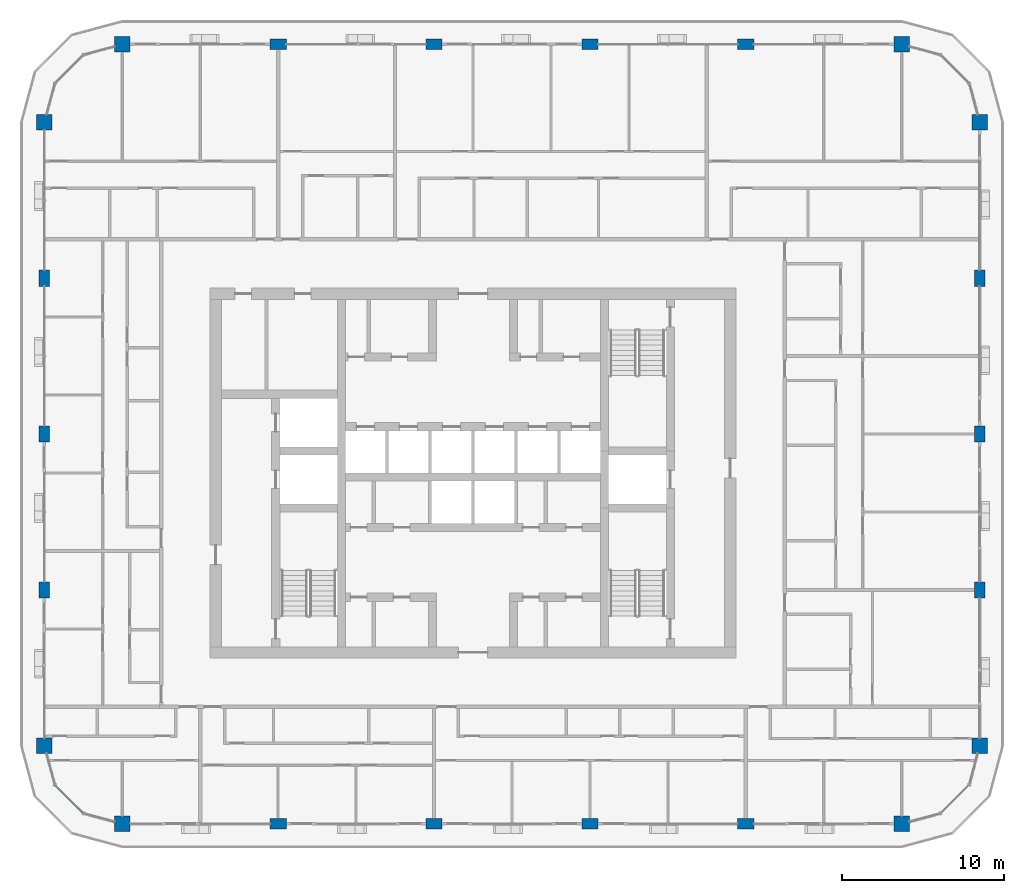
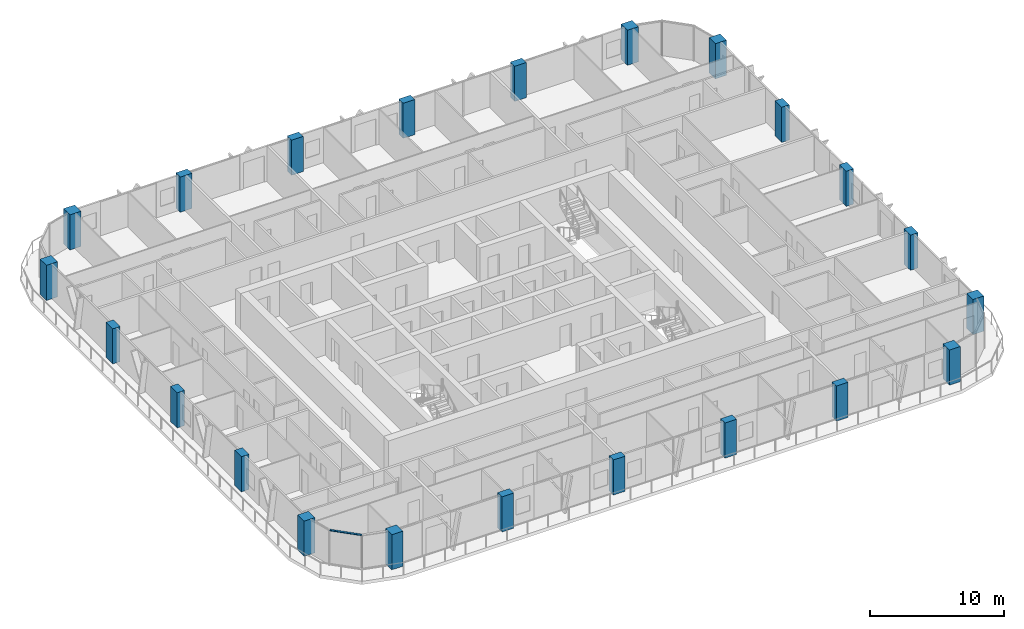
# One storey, part 1 of 23: 22 columns, 1 member, 1 element without a shape of its own.
"""IFC4 building model written with IfcOpenShell, lengths in metres."""

from ifc_helpers import new_model, si_unit, direction, frame, origin, origin_2d, place, context, subcontext, project, spatial, rectangle, extrude, material, layer, layer_set, material_profile, profile_set, type_object, element, aggregate, save


model = new_model("IFC4")

# Units and contexts
model_context = context("Model", 3, precision=1e-05, world=origin(), true_north=direction((0.0, 1.0)))
body_context = subcontext(model_context, "Body", "Model", "MODEL_VIEW")
ifc_project = project(units=[si_unit("LENGTHUNIT", "METRE"), si_unit("AREAUNIT", "SQUARE_METRE"), si_unit("VOLUMEUNIT", "CUBIC_METRE"), si_unit("PLANEANGLEUNIT", "RADIAN"), si_unit("MASSUNIT", "GRAM", prefix="KILO")], contexts=[model_context])

# Site, building, storey
site_placement = place(None, origin())
site = spatial("IfcSite", under=ifc_project, at=site_placement, CompositionType="ELEMENT")
building_placement = place(site_placement, origin())
building = spatial("IfcBuilding", under=site, at=building_placement, Name="Madar Terraces", CompositionType="ELEMENT")
storey_placement = place(building_placement, frame((0.0, 0.0, 222.800048828125)))
storey = spatial("IfcBuildingStorey", under=building, at=storey_placement, Name="L58", CompositionType="ELEMENT", Elevation=222.800048828125)

# Columns
ifc_material_1 = material(Name="Concrete C60/75", Category="concrete")
ifc_material_profile_1 = material_profile(ifc_material_1, rectangle(XDim=1.0, YDim=0.64990234375, at=origin_2d()), Name="CC4 RC 1000x650")
ifc_profile_set_1 = profile_set([ifc_material_profile_1], Name="Concrete C60/75")
column_type_1 = type_object("IfcColumnType", Name="CC4 RC 1000x650", PredefinedType="COLUMN", material=ifc_profile_set_1)
for number, where, z_axis, x_axis, name in (
    (1, (19.199951171875, 4.800048828125, 0.0), (0.0, 0.0, 1.0), (1.0, 0.0, 0.0), "Perimeter column S2"),
    (2, (28.800048828125, 4.800048828125, 0.0), (0.0, 0.0, 1.0), (1.0, 0.0, 0.0), "Perimeter column S3"),
    (3, (38.39990234375, 4.800048828125, 0.0), (0.0, 0.0, 1.0), (1.0, 0.0, 0.0), "Perimeter column S4"),
    (4, (48.0, 4.800048828125, 0.0), (0.0, 0.0, 1.0), (1.0, 0.0, 0.0), "Perimeter column S5"),
    (5, (62.39990234375, 19.199951171875, 0.0), (0.0, 0.0, 1.0), (0.0, 1.0, 0.0), "Perimeter column E2"),
    (6, (62.39990234375, 28.800048828125, 0.0), (0.0, 0.0, 1.0), (0.0, 1.0, 0.0), "Perimeter column E3"),
    (7, (62.39990234375, 38.39990234375, 0.0), (0.0, 0.0, 1.0), (0.0, 1.0, 0.0), "Perimeter column E4"),
    (8, (48.0, 52.800048828125, 0.0), (0.0, 0.0, 1.0), (1.0, 0.0, 0.0), "Perimeter column N2"),
    (9, (38.39990234375, 52.800048828125, 0.0), (0.0, 0.0, 1.0), (1.0, 0.0, 0.0), "Perimeter column N3"),
    (10, (28.800048828125, 52.800048828125, 0.0), (0.0, 0.0, 1.0), (1.0, 0.0, 0.0), "Perimeter column N4"),
    (11, (19.199951171875, 52.800048828125, 0.0), (0.0, 0.0, 1.0), (1.0, 0.0, 0.0), "Perimeter column N5"),
    (12, (4.800048828125, 38.39990234375, 0.0), (0.0, 0.0, 1.0), (0.0, 1.0, 0.0), "Perimeter column W2"),
    (13, (4.800048828125, 28.800048828125, 0.0), (0.0, 0.0, 1.0), (0.0, 1.0, 0.0), "Perimeter column W3"),
    (14, (4.800048828125, 19.199951171875, 0.0), (0.0, 0.0, 1.0), (0.0, 1.0, 0.0), "Perimeter column W4"),
):
    element("IfcColumn", number, at=place(storey_placement, frame(where, z_axis=z_axis, x_axis=x_axis)), inside=storey, type_object=column_type_1, Name=name, PredefinedType="COLUMN", context=body_context, shape_type="SweptSolid", body=[
        extrude(rectangle(XDim=1.0, YDim=0.64990234375, at=origin_2d()), origin(), (0.0, 0.0, 1.0), 3.199951171875),
    ])
ifc_material_2 = material(Name="Concrete C60/75", Category="concrete")
ifc_material_profile_2 = material_profile(ifc_material_2, rectangle(XDim=0.949951171875, YDim=0.949951171875, at=origin_2d()), Name="KC4 RC 950x950")
ifc_profile_set_2 = profile_set([ifc_material_profile_2], Name="Concrete C60/75")
column_type_2 = type_object("IfcColumnType", Name="KC4 RC 950x950", PredefinedType="COLUMN", material=ifc_profile_set_2)
for number, where, z_axis, x_axis, name in (
    (15, (9.60009765625, 4.800048828125, 0.0), (0.0, 0.0, 1.0), (1.0, 0.0, 0.0), "Perimeter column S1"),
    (16, (57.60009765625, 4.800048828125, 0.0), (0.0, 0.0, 1.0), (1.0, 0.0, 0.0), "Perimeter column S6"),
    (17, (62.39990234375, 9.60009765625, 0.0), (0.0, 0.0, 1.0), (1.0, 0.0, 0.0), "Perimeter column E1"),
    (18, (62.39990234375, 48.0, 0.0), (0.0, 0.0, 1.0), (1.0, 0.0, 0.0), "Perimeter column E5"),
    (19, (57.60009765625, 52.800048828125, 0.0), (0.0, 0.0, 1.0), (1.0, 0.0, 0.0), "Perimeter column N1"),
    (20, (9.60009765625, 52.800048828125, 0.0), (0.0, 0.0, 1.0), (1.0, 0.0, 0.0), "Perimeter column N6"),
    (21, (4.800048828125, 48.0, 0.0), (0.0, 0.0, 1.0), (1.0, 0.0, 0.0), "Perimeter column W1"),
    (22, (4.800048828125, 9.60009765625, 0.0), (0.0, 0.0, 1.0), (1.0, 0.0, 0.0), "Perimeter column W5"),
):
    element("IfcColumn", number, at=place(storey_placement, frame(where, z_axis=z_axis, x_axis=x_axis)), inside=storey, type_object=column_type_2, Name=name, PredefinedType="COLUMN", context=body_context, shape_type="SweptSolid", body=[
        extrude(rectangle(XDim=0.949951171875, YDim=0.949951171875, at=origin_2d()), origin(), (0.0, 0.0, 1.0), 3.199951171875),
    ])

# Curtain wall, member
ifc_material_3 = material(Name="Glass, ceramic frit dark grey, with black aluminium frame", Category="aluminium")
ifc_layer = layer(ifc_material_3, 0.199951171875)
ifc_layer_set = layer_set([ifc_layer], Name="Facade curtain wall, fritted glass")
curtain_wall_type = type_object("IfcCurtainWallType", Name="Facade curtain wall, fritted glass", PredefinedType="NOTDEFINED", material=ifc_layer_set)
curtain_wall_placement = place(storey_placement, origin())
curtain_wall = element("IfcCurtainWall", 23, at=curtain_wall_placement, inside=storey, type_object=curtain_wall_type, Name="Outer skin curtain wall south-west corner", PredefinedType="NOTDEFINED")
ifc_material_4 = material(Name="Aluminium, black anodised", Category="aluminium")
ifc_material_profile_3 = material_profile(ifc_material_4, rectangle(XDim=0.1201171875, YDim=0.06005859375, at=origin_2d()), Name="Facade transom 60x120")
ifc_profile_set_3 = profile_set([ifc_material_profile_3], Name="Aluminium, black anodised")
member_type = type_object("IfcMemberType", Name="Facade transom 60x120", PredefinedType="USERDEFINED", material=ifc_profile_set_3)
member_placement = place(storey_placement, frame((5.46435546875, 7.1787109375, 3.169921875), z_axis=(0.707106781187, -0.707106781187, 0.0), x_axis=(0.707106781187, 0.707106781187, 0.0)))
member = element("IfcMember", 24, at=member_placement, type_object=member_type, Name="Transom 2", ObjectType="TRANSOM", PredefinedType="USERDEFINED", context=body_context, shape_type="SweptSolid", body=[
    extrude(rectangle(XDim=0.1201171875, YDim=0.06005859375, at=origin_2d()), origin(), (0.0, 0.0, 1.0), 2.424560546875),
])
aggregate(curtain_wall, [member])

save(model, "model.ifc")
